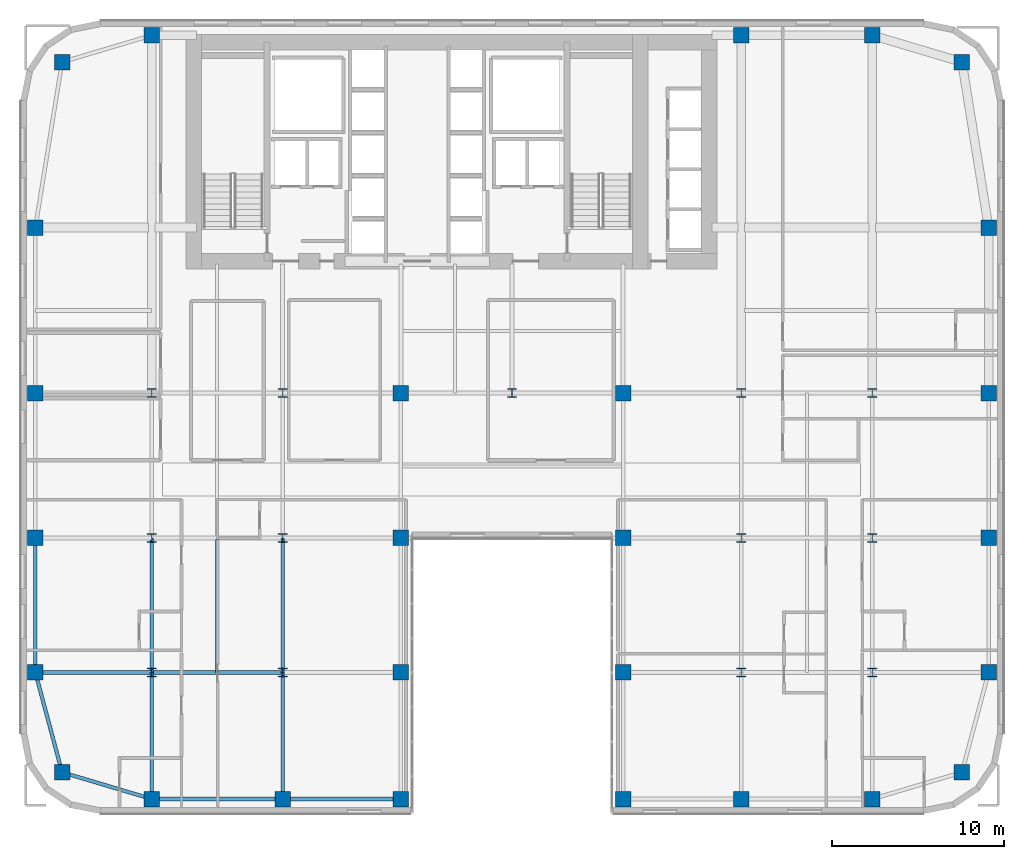
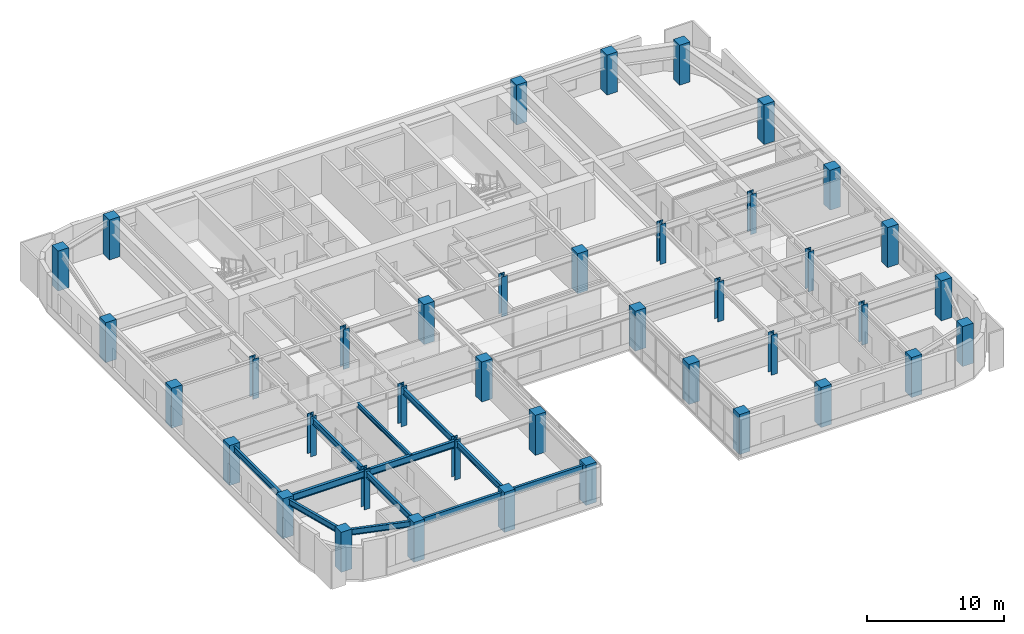
# One storey, part 1 of 24: 40 columns, 12 beams.
"""IFC4 building model written with IfcOpenShell, lengths in metres."""

from ifc_helpers import new_model, si_unit, direction, frame, origin, origin_2d, place, context, subcontext, project, spatial, rectangle, i_section, extrude, source, transform, mapped, material, material_profile, profile_set, type_object, type_shapes, element, save


model = new_model("IFC4")

# Units and contexts
model_context = context("Model", 3, precision=1e-05, world=origin(), true_north=direction((0.0, 1.0)))
body_context = subcontext(model_context, "Body", "Model", "MODEL_VIEW")
ifc_project = project(units=[si_unit("LENGTHUNIT", "METRE"), si_unit("AREAUNIT", "SQUARE_METRE"), si_unit("VOLUMEUNIT", "CUBIC_METRE"), si_unit("PLANEANGLEUNIT", "RADIAN"), si_unit("MASSUNIT", "GRAM", prefix="KILO")], contexts=[model_context])

# Site, building, storey
site_placement = place(None, origin())
site = spatial("IfcSite", under=ifc_project, at=site_placement, CompositionType="ELEMENT")
building_placement = place(site_placement, origin())
building = spatial("IfcBuilding", under=site, at=building_placement, Name="Tolvann Quenvar Hotel", CompositionType="ELEMENT")
storey_placement = place(building_placement, frame((0.0, 0.0, 88.800048828125)))
storey = spatial("IfcBuildingStorey", under=building, at=storey_placement, Name="L22", CompositionType="ELEMENT", Elevation=88.800048828125)

# Columns
ifc_material_1 = material(Name="Concrete S65 (65 MPa)", Category="concrete")
ifc_material_profile_1 = material_profile(ifc_material_1, rectangle(XDim=0.89990234375, YDim=0.89990234375, at=origin_2d()), Name="RC900x900")
ifc_profile_set_1 = profile_set([ifc_material_profile_1], Name="Concrete S65 (65 MPa)")
column_type_1 = type_object("IfcColumnType", Name="COL_RC900", PredefinedType="COLUMN", material=ifc_profile_set_1)
shared_shape_1 = source(origin(), body_context, "Body", "SweptSolid", [
    extrude(rectangle(XDim=0.89990234375, YDim=0.89990234375, at=origin_2d()), origin(), (0.0, 0.0, 1.0), 3.550048828125),
])
type_shapes(column_type_1, [shared_shape_1])
for number, where, z_axis, x_axis, name in (
    (1, (2.39990234375, 2.39990234375, 0.0), (0.0, 0.0, 1.0), (1.0, 0.0, 0.0), "Column B2 (L22)"),
    (2, (0.85009765625, 8.199951171875, 0.0), (0.0, 0.0, 1.0), (1.0, 0.0, 0.0), "Column B3 (L22)"),
    (3, (0.85009765625, 16.0, 0.0), (0.0, 0.0, 1.0), (1.0, 0.0, 0.0), "Column B4 (L22)"),
    (4, (0.85009765625, 24.39990234375, 0.0), (0.0, 0.0, 1.0), (1.0, 0.0, 0.0), "Column B5 (L22)"),
    (5, (7.60009765625, 0.85009765625, 0.0), (0.0, 0.0, 1.0), (1.0, 0.0, 0.0), "Column C2 (L22)"),
    (6, (15.199951171875, 0.85009765625, 0.0), (0.0, 0.0, 1.0), (1.0, 0.0, 0.0), "Column D2 (L22)"),
    (7, (22.050048828125, 0.85009765625, 0.0), (0.0, 0.0, 1.0), (1.0, 0.0, 0.0), "Column E2 (L22)"),
    (8, (22.050048828125, 8.199951171875, 0.0), (0.0, 0.0, 1.0), (1.0, 0.0, 0.0), "Column E3 (L22)"),
    (9, (22.050048828125, 16.0, 0.0), (0.0, 0.0, 1.0), (1.0, 0.0, 0.0), "Column E4 (L22)"),
    (10, (22.050048828125, 24.39990234375, 0.0), (0.0, 0.0, 1.0), (1.0, 0.0, 0.0), "Column E5 (L22)"),
    (11, (34.949951171875, 0.85009765625, 0.0), (0.0, 0.0, 1.0), (1.0, 0.0, 0.0), "Column F2 (L22)"),
    (12, (34.949951171875, 8.199951171875, 0.0), (0.0, 0.0, 1.0), (1.0, 0.0, 0.0), "Column F3 (L22)"),
    (13, (34.949951171875, 16.0, 0.0), (0.0, 0.0, 1.0), (1.0, 0.0, 0.0), "Column F4 (L22)"),
    (14, (34.949951171875, 24.39990234375, 0.0), (0.0, 0.0, 1.0), (1.0, 0.0, 0.0), "Column F5 (L22)"),
    (15, (41.800048828125, 0.85009765625, 0.0), (0.0, 0.0, 1.0), (1.0, 0.0, 0.0), "Column H2 (L22)"),
    (16, (49.39990234375, 0.85009765625, 0.0), (0.0, 0.0, 1.0), (1.0, 0.0, 0.0), "Column I2 (L22)"),
    (17, (54.60009765625, 2.39990234375, 0.0), (0.0, 0.0, 1.0), (1.0, 0.0, 0.0), "Column J2 (L22)"),
    (18, (56.14990234375, 8.199951171875, 0.0), (0.0, 0.0, 1.0), (1.0, 0.0, 0.0), "Column J3 (L22)"),
    (19, (56.14990234375, 16.0, 0.0), (0.0, 0.0, 1.0), (1.0, 0.0, 0.0), "Column J4 (L22)"),
    (20, (56.14990234375, 24.39990234375, 0.0), (0.0, 0.0, 1.0), (1.0, 0.0, 0.0), "Column J5 (L22)"),
    (21, (2.39990234375, 43.60009765625, 0.0), (0.0, 0.0, 1.0), (1.0, 0.0, 0.0), "Column BN (L22)"),
    (22, (7.60009765625, 45.14990234375, 0.0), (0.0, 0.0, 1.0), (1.0, 0.0, 0.0), "Column CN (L22)"),
    (23, (0.85009765625, 34.0, 0.0), (0.0, 0.0, 1.0), (1.0, 0.0, 0.0), "Column BD6 (L22)"),
    (24, (41.800048828125, 45.14990234375, 0.0), (0.0, 0.0, 1.0), (1.0, 0.0, 0.0), "Column HN (L22)"),
    (25, (49.39990234375, 45.14990234375, 0.0), (0.0, 0.0, 1.0), (1.0, 0.0, 0.0), "Column IN (L22)"),
    (26, (54.60009765625, 43.60009765625, 0.0), (0.0, 0.0, 1.0), (1.0, 0.0, 0.0), "Column JN (L22)"),
    (27, (56.14990234375, 34.0, 0.0), (0.0, 0.0, 1.0), (1.0, 0.0, 0.0), "Column JD6 (L22)"),
):
    element("IfcColumn", number, at=place(storey_placement, frame(where, z_axis=z_axis, x_axis=x_axis)), inside=storey, type_object=column_type_1, Name=name, PredefinedType="COLUMN", context=body_context, shape_type="MappedRepresentation", body=[
        mapped(shared_shape_1, transform((0.0, 0.0, 0.0), x_axis=(1.0, 0.0, 0.0), y_axis=(0.0, 1.0, 0.0), z_axis=(0.0, 0.0, 1.0), scale=1.0)),
    ])
ifc_material_2 = material(Name="Steel Grade 350", Category="steel")
ifc_material_profile_2 = material_profile(ifc_material_2, i_section(OverallWidth=0.5, OverallDepth=0.5, WebThickness=0.02197265625, FlangeThickness=0.033935546875, at=origin_2d()), Name="500WC340")
ifc_profile_set_2 = profile_set([ifc_material_profile_2], Name="Steel Grade 350")
column_type_2 = type_object("IfcColumnType", Name="COL_500WC340", PredefinedType="COLUMN", material=ifc_profile_set_2)
shared_shape_2 = source(origin(), body_context, "Body", "SweptSolid", [
    extrude(i_section(OverallWidth=0.5, OverallDepth=0.5, WebThickness=0.02197265625, FlangeThickness=0.033935546875, at=origin_2d()), origin(), (0.0, 0.0, 1.0), 3.550048828125),
])
type_shapes(column_type_2, [shared_shape_2])
for number, where, z_axis, x_axis, name in (
    (28, (7.60009765625, 8.199951171875, 0.0), (0.0, 0.0, 1.0), (1.0, 0.0, 0.0), "Column C3 (L22)"),
    (29, (7.60009765625, 16.0, 0.0), (0.0, 0.0, 1.0), (1.0, 0.0, 0.0), "Column C4 (L22)"),
    (30, (7.60009765625, 24.39990234375, 0.0), (0.0, 0.0, 1.0), (1.0, 0.0, 0.0), "Column C5 (L22)"),
    (31, (15.199951171875, 8.199951171875, 0.0), (0.0, 0.0, 1.0), (1.0, 0.0, 0.0), "Column D3 (L22)"),
    (32, (15.199951171875, 16.0, 0.0), (0.0, 0.0, 1.0), (1.0, 0.0, 0.0), "Column D4 (L22)"),
    (33, (15.199951171875, 24.39990234375, 0.0), (0.0, 0.0, 1.0), (1.0, 0.0, 0.0), "Column D5 (L22)"),
    (34, (41.800048828125, 8.199951171875, 0.0), (0.0, 0.0, 1.0), (1.0, 0.0, 0.0), "Column H3 (L22)"),
    (35, (41.800048828125, 16.0, 0.0), (0.0, 0.0, 1.0), (1.0, 0.0, 0.0), "Column H4 (L22)"),
    (36, (41.800048828125, 24.39990234375, 0.0), (0.0, 0.0, 1.0), (1.0, 0.0, 0.0), "Column H5 (L22)"),
    (37, (49.39990234375, 8.199951171875, 0.0), (0.0, 0.0, 1.0), (1.0, 0.0, 0.0), "Column I3 (L22)"),
    (38, (49.39990234375, 16.0, 0.0), (0.0, 0.0, 1.0), (1.0, 0.0, 0.0), "Column I4 (L22)"),
    (39, (49.39990234375, 24.39990234375, 0.0), (0.0, 0.0, 1.0), (1.0, 0.0, 0.0), "Column I5 (L22)"),
    (40, (28.5, 24.39990234375, 0.0), (0.0, 0.0, 1.0), (1.0, 0.0, 0.0), "Column M5 (L22)"),
):
    element("IfcColumn", number, at=place(storey_placement, frame(where, z_axis=z_axis, x_axis=x_axis)), inside=storey, type_object=column_type_2, Name=name, PredefinedType="COLUMN", context=body_context, shape_type="MappedRepresentation", body=[
        mapped(shared_shape_2, transform((0.0, 0.0, 0.0), x_axis=(1.0, 0.0, 0.0), y_axis=(0.0, 1.0, 0.0), z_axis=(0.0, 0.0, 1.0), scale=1.0)),
    ])

# Beams
ifc_material_profile_3 = material_profile(ifc_material_2, i_section(OverallWidth=0.208984375, OverallDepth=0.528076171875, WebThickness=0.009521484375, FlangeThickness=0.01318359375, FilletRadius=0.013916015625, at=origin_2d()), Name="530UB82")
ifc_profile_set_3 = profile_set([ifc_material_profile_3], Name="Steel Grade 350")
beam_type_1 = type_object("IfcBeamType", Name="BM_SPAND_530UB82", PredefinedType="SPANDREL", material=ifc_profile_set_3)
shared_shape_3 = source(origin(), body_context, "Body", "SweptSolid", [
    extrude(i_section(OverallWidth=0.208984375, OverallDepth=0.528076171875, WebThickness=0.009521484375, FlangeThickness=0.01318359375, FilletRadius=0.013916015625, at=origin_2d()), origin(), (0.0, 0.0, 1.0), 5.42626953125),
])
beam_1_placement = place(storey_placement, frame((2.39990234375, 2.39990234375, 3.10595703125), z_axis=(0.958344815522, -0.285613750654, 0.0), x_axis=(0.285613750654, 0.958344815522, 0.0)))
element("IfcBeam", 41, at=beam_1_placement, inside=storey, type_object=beam_type_1, Name="BM-L22-EW-2-B2-C2", PredefinedType="SPANDREL", context=body_context, shape_type="MappedRepresentation", body=[
    mapped(shared_shape_3, transform((0.0, 0.0, 0.0), x_axis=(1.0, 0.0, 0.0), y_axis=(0.0, 1.0, 0.0), z_axis=(0.0, 0.0, 1.0), scale=1.0)),
])
shared_shape_4 = source(origin(), body_context, "Body", "SweptSolid", [
    extrude(i_section(OverallWidth=0.208984375, OverallDepth=0.528076171875, WebThickness=0.009521484375, FlangeThickness=0.01318359375, FilletRadius=0.013916015625, at=origin_2d()), origin(), (0.0, 0.0, 1.0), 7.599853515625),
])
beam_2_placement = place(storey_placement, frame((7.60009765625, 0.85009765625, 3.10595703125), z_axis=(1.0, 0.0, 0.0), x_axis=(0.0, 1.0, 0.0)))
element("IfcBeam", 42, at=beam_2_placement, inside=storey, type_object=beam_type_1, Name="BM-L22-EW-2-C2-D2", PredefinedType="SPANDREL", context=body_context, shape_type="MappedRepresentation", body=[
    mapped(shared_shape_4, transform((0.0, 0.0, 0.0), x_axis=(1.0, 0.0, 0.0), y_axis=(0.0, 1.0, 0.0), z_axis=(0.0, 0.0, 1.0), scale=1.0)),
])
shared_shape_5 = source(origin(), body_context, "Body", "SweptSolid", [
    extrude(i_section(OverallWidth=0.208984375, OverallDepth=0.528076171875, WebThickness=0.009521484375, FlangeThickness=0.01318359375, FilletRadius=0.013916015625, at=origin_2d()), origin(), (0.0, 0.0, 1.0), 6.85009765625),
])
beam_3_placement = place(storey_placement, frame((15.199951171875, 0.85009765625, 3.10595703125), z_axis=(1.0, 0.0, 0.0), x_axis=(0.0, 1.0, 0.0)))
element("IfcBeam", 43, at=beam_3_placement, inside=storey, type_object=beam_type_1, Name="BM-L22-EW-2-D2-E2", PredefinedType="SPANDREL", context=body_context, shape_type="MappedRepresentation", body=[
    mapped(shared_shape_5, transform((0.0, 0.0, 0.0), x_axis=(1.0, 0.0, 0.0), y_axis=(0.0, 1.0, 0.0), z_axis=(0.0, 0.0, 1.0), scale=1.0)),
])
ifc_material_profile_4 = material_profile(ifc_material_2, i_section(OverallWidth=0.22900390625, OverallDepth=0.612060546875, WebThickness=0.011962890625, FlangeThickness=0.01953125, FilletRadius=0.013916015625, at=origin_2d()), Name="610UB125")
ifc_profile_set_4 = profile_set([ifc_material_profile_4], Name="Steel Grade 350")
beam_type_2 = type_object("IfcBeamType", Name="BM_GIRD_610UB125", PredefinedType="BEAM", material=ifc_profile_set_4)
shared_shape_6 = source(origin(), body_context, "Body", "SweptSolid", [
    extrude(i_section(OverallWidth=0.22900390625, OverallDepth=0.612060546875, WebThickness=0.011962890625, FlangeThickness=0.01953125, FilletRadius=0.013916015625, at=origin_2d()), origin(), (0.0, 0.0, 1.0), 6.75),
])
beam_4_placement = place(storey_placement, frame((0.85009765625, 8.199951171875, 3.06396484375), z_axis=(1.0, 0.0, 0.0), x_axis=(0.0, 1.0, 0.0)))
element("IfcBeam", 44, at=beam_4_placement, inside=storey, type_object=beam_type_2, Name="BM-L22-EW-3-B3-C3", PredefinedType="BEAM", context=body_context, shape_type="MappedRepresentation", body=[
    mapped(shared_shape_6, transform((0.0, 0.0, 0.0), x_axis=(1.0, 0.0, 0.0), y_axis=(0.0, 1.0, 0.0), z_axis=(0.0, 0.0, 1.0), scale=1.0)),
])
shared_shape_7 = source(origin(), body_context, "Body", "SweptSolid", [
    extrude(i_section(OverallWidth=0.22900390625, OverallDepth=0.612060546875, WebThickness=0.011962890625, FlangeThickness=0.01953125, FilletRadius=0.013916015625, at=origin_2d()), origin(), (0.0, 0.0, 1.0), 7.599853515625),
])
type_shapes(beam_type_2, [shared_shape_6, shared_shape_7])
beam_5_placement = place(storey_placement, frame((7.60009765625, 8.199951171875, 3.06396484375), z_axis=(1.0, 0.0, 0.0), x_axis=(0.0, 1.0, 0.0)))
element("IfcBeam", 45, at=beam_5_placement, inside=storey, type_object=beam_type_2, Name="BM-L22-EW-3-C3-D3", PredefinedType="BEAM", context=body_context, shape_type="MappedRepresentation", body=[
    mapped(shared_shape_7, transform((0.0, 0.0, 0.0), x_axis=(1.0, 0.0, 0.0), y_axis=(0.0, 1.0, 0.0), z_axis=(0.0, 0.0, 1.0), scale=1.0)),
])
shared_shape_8 = source(origin(), body_context, "Body", "SweptSolid", [
    extrude(i_section(OverallWidth=0.208984375, OverallDepth=0.528076171875, WebThickness=0.009521484375, FlangeThickness=0.01318359375, FilletRadius=0.013916015625, at=origin_2d()), origin(), (0.0, 0.0, 1.0), 6.00341796875),
])
beam_6_placement = place(storey_placement, frame((2.39990234375, 2.39990234375, 3.10595703125), z_axis=(-0.258148586649, 0.966105225745, 0.0), x_axis=(-0.966105225745, -0.258148586649, 0.0)))
element("IfcBeam", 46, at=beam_6_placement, inside=storey, type_object=beam_type_1, Name="BM-L22-NS-B2-B3", PredefinedType="SPANDREL", context=body_context, shape_type="MappedRepresentation", body=[
    mapped(shared_shape_8, transform((0.0, 0.0, 0.0), x_axis=(1.0, 0.0, 0.0), y_axis=(0.0, 1.0, 0.0), z_axis=(0.0, 0.0, 1.0), scale=1.0)),
])
shared_shape_9 = source(origin(), body_context, "Body", "SweptSolid", [
    extrude(i_section(OverallWidth=0.208984375, OverallDepth=0.528076171875, WebThickness=0.009521484375, FlangeThickness=0.01318359375, FilletRadius=0.013916015625, at=origin_2d()), origin(), (0.0, 0.0, 1.0), 7.800048828125),
])
type_shapes(beam_type_1, [shared_shape_3, shared_shape_4, shared_shape_5, shared_shape_8, shared_shape_9])
beam_7_placement = place(storey_placement, frame((0.85009765625, 8.199951171875, 3.10595703125), z_axis=(0.0, 1.0, 0.0), x_axis=(-1.0, 0.0, 0.0)))
element("IfcBeam", 47, at=beam_7_placement, inside=storey, type_object=beam_type_1, Name="BM-L22-NS-B3-B4", PredefinedType="SPANDREL", context=body_context, shape_type="MappedRepresentation", body=[
    mapped(shared_shape_9, transform((0.0, 0.0, 0.0), x_axis=(1.0, 0.0, 0.0), y_axis=(0.0, 1.0, 0.0), z_axis=(0.0, 0.0, 1.0), scale=1.0)),
])
ifc_material_profile_5 = material_profile(ifc_material_2, i_section(OverallWidth=0.208984375, OverallDepth=0.532958984375, WebThickness=0.01025390625, FlangeThickness=0.015625, FilletRadius=0.013916015625, at=origin_2d()), Name="530UB92")
ifc_profile_set_5 = profile_set([ifc_material_profile_5], Name="Steel Grade 350")
beam_type_3 = type_object("IfcBeamType", Name="BM_GIRD_530UB92", PredefinedType="BEAM", material=ifc_profile_set_5)
shared_shape_10 = source(origin(), body_context, "Body", "SweptSolid", [
    extrude(i_section(OverallWidth=0.208984375, OverallDepth=0.532958984375, WebThickness=0.01025390625, FlangeThickness=0.015625, FilletRadius=0.013916015625, at=origin_2d()), origin(), (0.0, 0.0, 1.0), 7.349853515625),
])
for number, where, z_axis, x_axis, name in (
    (48, (7.60009765625, 0.85009765625, 3.103515625), (0.0, 1.0, 0.0), (-1.0, 0.0, 0.0), "BM-L22-NS-C2-C3"),
    (49, (15.199951171875, 0.85009765625, 3.103515625), (0.0, 1.0, 0.0), (-1.0, 0.0, 0.0), "BM-L22-NS-D2-D3"),
):
    element("IfcBeam", number, at=place(storey_placement, frame(where, z_axis=z_axis, x_axis=x_axis)), inside=storey, type_object=beam_type_3, Name=name, PredefinedType="BEAM", context=body_context, shape_type="MappedRepresentation", body=[
        mapped(shared_shape_10, transform((0.0, 0.0, 0.0), x_axis=(1.0, 0.0, 0.0), y_axis=(0.0, 1.0, 0.0), z_axis=(0.0, 0.0, 1.0), scale=1.0)),
    ])
shared_shape_11 = source(origin(), body_context, "Body", "SweptSolid", [
    extrude(i_section(OverallWidth=0.208984375, OverallDepth=0.532958984375, WebThickness=0.01025390625, FlangeThickness=0.015625, FilletRadius=0.013916015625, at=origin_2d()), origin(), (0.0, 0.0, 1.0), 7.800048828125),
])
type_shapes(beam_type_3, [shared_shape_10, shared_shape_11])
for number, where, z_axis, x_axis, name in (
    (50, (7.60009765625, 8.199951171875, 3.103515625), (0.0, 1.0, 0.0), (-1.0, 0.0, 0.0), "BM-L22-NS-C3-C4"),
    (51, (15.199951171875, 8.199951171875, 3.103515625), (0.0, 1.0, 0.0), (-1.0, 0.0, 0.0), "BM-L22-NS-D3-D4"),
):
    element("IfcBeam", number, at=place(storey_placement, frame(where, z_axis=z_axis, x_axis=x_axis)), inside=storey, type_object=beam_type_3, Name=name, PredefinedType="BEAM", context=body_context, shape_type="MappedRepresentation", body=[
        mapped(shared_shape_11, transform((0.0, 0.0, 0.0), x_axis=(1.0, 0.0, 0.0), y_axis=(0.0, 1.0, 0.0), z_axis=(0.0, 0.0, 1.0), scale=1.0)),
    ])
ifc_material_profile_6 = material_profile(ifc_material_2, i_section(OverallWidth=0.177978515625, OverallDepth=0.406005859375, WebThickness=0.0078125, FlangeThickness=0.0126953125, FilletRadius=0.011474609375, at=origin_2d()), Name="410UB60")
ifc_profile_set_6 = profile_set([ifc_material_profile_6], Name="Steel Grade 350")
beam_type_4 = type_object("IfcBeamType", Name="BM_JOIST_410UB60", PredefinedType="JOIST", material=ifc_profile_set_6)
shared_shape_12 = source(origin(), body_context, "Body", "SweptSolid", [
    extrude(i_section(OverallWidth=0.177978515625, OverallDepth=0.406005859375, WebThickness=0.0078125, FlangeThickness=0.0126953125, FilletRadius=0.011474609375, at=origin_2d()), origin(), (0.0, 0.0, 1.0), 7.691650390625),
])
type_shapes(beam_type_4, [shared_shape_12])
beam_8_placement = place(storey_placement, frame((11.39990234375, 8.199951171875, 3.1669921875), z_axis=(0.0, 1.0, 0.0), x_axis=(-1.0, 0.0, 0.0)))
element("IfcBeam", 52, at=beam_8_placement, inside=storey, type_object=beam_type_4, Name="BJ-L22-114-82", PredefinedType="JOIST", context=body_context, shape_type="MappedRepresentation", body=[
    mapped(shared_shape_12, transform((0.0, 0.0, 0.0), x_axis=(1.0, 0.0, 0.0), y_axis=(0.0, 1.0, 0.0), z_axis=(0.0, 0.0, 1.0), scale=1.0)),
])

save(model, "model.ifc")
